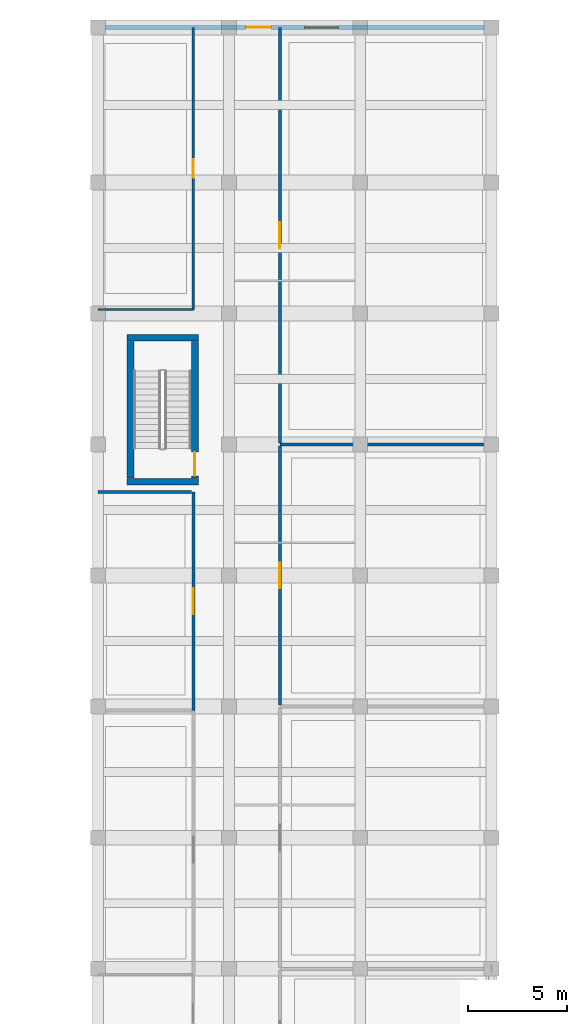
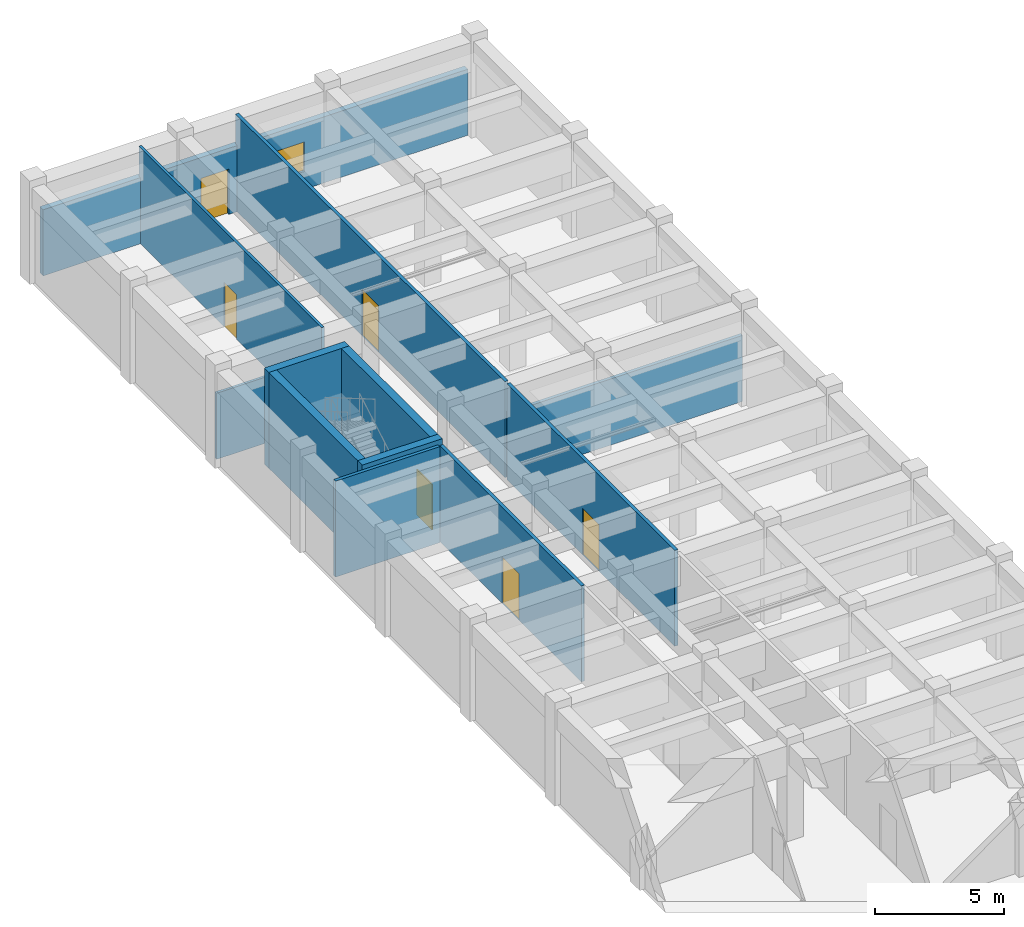
# One storey, part 130 of 144: 12 walls, 6 doors, 1 window, 7 openings.
"""IFC4 building model written with IfcOpenShell, lengths in metres."""

from ifc_helpers import new_model, si_unit, direction, frame, frame_2d, origin, place, context, subcontext, project, spatial, rectangle, extrude, material, layer, layer_set, type_object, element, fill, save


model = new_model("IFC4")

# Units and contexts
model_context = context("Model", 3, precision=1e-05, world=origin(), true_north=direction((0.0, 1.0)))
body_context = subcontext(model_context, "Body", "Model", "MODEL_VIEW")
ifc_project = project(units=[si_unit("LENGTHUNIT", "METRE"), si_unit("AREAUNIT", "SQUARE_METRE"), si_unit("VOLUMEUNIT", "CUBIC_METRE"), si_unit("PLANEANGLEUNIT", "RADIAN"), si_unit("MASSUNIT", "GRAM", prefix="KILO")], contexts=[model_context])

# Site, building, storey
site_placement = place(None, origin())
site = spatial("IfcSite", under=ifc_project, at=site_placement, CompositionType="ELEMENT")
building_placement = place(site_placement, origin())
building = spatial("IfcBuilding", under=site, at=building_placement, Name="Karori Crest Natural Sciences Institute", CompositionType="ELEMENT")
storey_placement = place(building_placement, origin())
storey = spatial("IfcBuildingStorey", under=building, at=storey_placement, Name="L00", CompositionType="ELEMENT", Elevation=0.0)

# Walls
ifc_material_1 = material(Name="Concrete 50 MPa", Category="concrete")
ifc_layer_1 = layer(ifc_material_1, 0.35009765625, Name="Concrete 50 MPa")
ifc_layer_set_1 = layer_set([ifc_layer_1], Name="Concrete 50 MPa")
wall_type_1 = type_object("IfcWallType", Name="IWT-02", PredefinedType="SHEAR", material=ifc_layer_set_1)
for number, where, z_axis, x_axis, name in (
    (1, (8.85009765625, 139.324951171875, 0.0), (0.0, 0.0, 1.0), (1.0, 0.0, 0.0), "Shear wall IW-0201"),
    (2, (8.85009765625, 146.574951171875, 0.0), (0.0, 0.0, 1.0), (1.0, 0.0, 0.0), "Shear wall IW-0202"),
):
    element("IfcWall", number, at=place(storey_placement, frame(where, z_axis=z_axis, x_axis=x_axis)), inside=storey, type_object=wall_type_1, Name=name, PredefinedType="SHEAR", context=body_context, shape_type="SweptSolid", body=[
        extrude(rectangle(XDim=3.599853515625, YDim=0.35009765625, at=frame_2d((1.7998046875, 0.0))), origin(), (0.0, 0.0, 1.0), 4.550048828125),
    ])
wall_1_placement = place(storey_placement, frame((9.02490234375, 139.501953125, 0.0), z_axis=(0.0, 0.0, 1.0), x_axis=(0.0, 1.0, 0.0)))
element("IfcWall", 3, at=wall_1_placement, inside=storey, type_object=wall_type_1, Name="Shear wall IW-0203", PredefinedType="SHEAR", context=body_context, shape_type="SweptSolid", body=[
    extrude(rectangle(XDim=6.89599609375, YDim=0.35009765625, at=frame_2d((3.447998046875, 0.0))), origin(), (0.0, 0.0, 1.0), 4.550048828125),
])

# Wall, opening, door
wall_2_placement = place(storey_placement, frame((12.27490234375, 139.501953125, 0.0), z_axis=(0.0, 0.0, 1.0), x_axis=(0.0, 1.0, 0.0)))
wall_2 = element("IfcWall", 4, at=wall_2_placement, inside=storey, type_object=wall_type_1, Name="Shear wall IW-0204", PredefinedType="SHEAR", context=body_context, shape_type="SweptSolid", body=[
    extrude(rectangle(XDim=6.89599609375, YDim=0.35009765625, at=frame_2d((3.447998046875, 0.0))), origin(), (0.0, 0.0, 1.0), 4.550048828125),
])
opening_1_placement = place(wall_2_placement, frame((0.1201171875, 0.0, 0.0)))
opening_1 = element("IfcOpeningElement", 5, at=opening_1_placement, cuts=wall_2, Name="Opening ID-0051", PredefinedType="OPENING", context=body_context, shape_type="SweptSolid", body=[
    extrude(rectangle(XDim=1.199951171875, YDim=2.14990234375, at=frame_2d((0.60009765625, 1.074951171875))), frame((0.0, 0.18505859375, 0.0), z_axis=(0.0, -1.0, 0.0), x_axis=(1.0, 0.0, 0.0)), (0.0, 0.0, 1.0), 0.3701171875),
])
ifc_material_2 = material(Name="Stainless steel 316 and fire-rated timber", Category="steel")
door_type_1 = type_object("IfcDoorType", Name="IDT-01", OperationType="NOTDEFINED", PredefinedType="DOOR", material=ifc_material_2)
door_1_placement = place(opening_1_placement, origin())
door_1 = element("IfcDoor", 6, at=door_1_placement, inside=storey, type_object=door_type_1, Name="Stair ST-06 fire door ID-0051", OperationType="SINGLE_SWING_LEFT", OverallHeight=2.14990234375, OverallWidth=1.199951171875, PredefinedType="DOOR", context=body_context, shape_type="SweptSolid", body=[
    extrude(rectangle(XDim=1.199951171875, YDim=2.14990234375, at=frame_2d((0.60009765625, 1.074951171875))), frame((0.0, 0.02490234375, 0.0), z_axis=(0.0, -1.0, 0.0), x_axis=(1.0, 0.0, 0.0)), (0.0, 0.0, 1.0), 0.050048828125),
])
fill(opening_1, door_1)

# Wall
ifc_material_3 = material(Name="Clean-room insulated fire partition")
ifc_layer_2 = layer(ifc_material_3, 0.14990234375, Name="Clean-room insulated fire partition")
ifc_layer_set_2 = layer_set([ifc_layer_2], Name="Clean-room insulated fire partition")
wall_type_2 = type_object("IfcWallType", Name="IWT-06", PredefinedType="PARTITIONING", material=ifc_layer_set_2)
wall_3_placement = place(storey_placement, frame((7.39990234375, 138.800048828125, 0.0), z_axis=(0.0, 0.0, 1.0), x_axis=(1.0, 0.0, 0.0)))
element("IfcWall", 7, at=wall_3_placement, inside=storey, type_object=wall_type_2, Name="Partition wall IW-0921", PredefinedType="PARTITIONING", context=body_context, shape_type="SweptSolid", body=[
    extrude(rectangle(XDim=4.697998046875, YDim=0.14990234375, at=frame_2d((2.34912109375, 0.0))), origin(), (0.0, 0.0, 1.0), 4.550048828125),
])

# Wall, opening, door
wall_4_placement = place(storey_placement, frame((12.199951171875, 127.802001953125, 0.0), z_axis=(0.0, 0.0, 1.0), x_axis=(0.0, 1.0, 0.0)))
wall_4 = element("IfcWall", 8, at=wall_4_placement, inside=storey, type_object=wall_type_2, Name="Partition wall IW-0922", PredefinedType="PARTITIONING", context=body_context, shape_type="SweptSolid", body=[
    extrude(rectangle(XDim=10.998046875, YDim=0.14990234375, at=frame_2d((5.4990234375, 0.0))), origin(), (0.0, 0.0, 1.0), 4.550048828125),
])
opening_2_placement = place(wall_4_placement, frame((4.84912109375, 0.0, 0.0)))
opening_2 = element("IfcOpeningElement", 9, at=opening_2_placement, cuts=wall_4, Name="Opening ID-0235", PredefinedType="OPENING", context=body_context, shape_type="SweptSolid", body=[
    extrude(rectangle(XDim=1.300048828125, YDim=2.199951171875, at=frame_2d((0.64990234375, 1.10009765625))), frame((0.0, 0.0849609375, 0.0), z_axis=(0.0, -1.0, 0.0), x_axis=(1.0, 0.0, 0.0)), (0.0, 0.0, 1.0), 0.169921875),
])
door_type_2 = type_object("IfcDoorType", Name="IDT-04", OperationType="NOTDEFINED", PredefinedType="DOOR", material=ifc_material_2)
door_2_placement = place(opening_2_placement, origin())
door_2 = element("IfcDoor", 10, at=door_2_placement, inside=storey, type_object=door_type_2, Name="Optical Metrology Preparation Room door ID-0235", OperationType="SINGLE_SWING_LEFT", OverallHeight=2.199951171875, OverallWidth=1.300048828125, PredefinedType="DOOR", context=body_context, shape_type="SweptSolid", body=[
    extrude(rectangle(XDim=1.300048828125, YDim=2.199951171875, at=frame_2d((0.64990234375, 1.10009765625))), frame((0.0, 0.02490234375, 0.0), z_axis=(0.0, -1.0, 0.0), x_axis=(1.0, 0.0, 0.0)), (0.0, 0.0, 1.0), 0.050048828125),
])
fill(opening_2, door_2)

# Wall
wall_5_placement = place(storey_placement, frame((16.550048828125, 141.199951171875, 0.0), z_axis=(0.0, 0.0, 1.0), x_axis=(1.0, 0.0, 0.0)))
element("IfcWall", 11, at=wall_5_placement, inside=storey, type_object=wall_type_2, Name="Partition wall IW-0933", PredefinedType="PARTITIONING", context=body_context, shape_type="SweptSolid", body=[
    extrude(rectangle(XDim=10.508056640625, YDim=0.14990234375, at=frame_2d((5.25390625, 0.0))), origin(), (0.0, 0.0, 1.0), 3.135009765625),
])

# Wall, opening, door
wall_6_placement = place(storey_placement, frame((16.550048828125, 128.076904296875, 0.0), z_axis=(0.0, 0.0, 1.0), x_axis=(0.0, 1.0, 0.0)))
wall_6 = element("IfcWall", 12, at=wall_6_placement, inside=storey, type_object=wall_type_2, Name="Partition wall IW-0934", PredefinedType="PARTITIONING", context=body_context, shape_type="SweptSolid", body=[
    extrude(rectangle(XDim=13.046142578125, YDim=0.14990234375, at=frame_2d((6.52294921875, 0.0))), origin(), (0.0, 0.0, 1.0), 4.550048828125),
])
opening_3_placement = place(wall_6_placement, frame((5.873046875, 0.0, 0.0)))
opening_3 = element("IfcOpeningElement", 13, at=opening_3_placement, cuts=wall_6, Name="Opening ID-0240", PredefinedType="OPENING", context=body_context, shape_type="SweptSolid", body=[
    extrude(rectangle(XDim=1.300048828125, YDim=2.199951171875, at=frame_2d((0.64990234375, 1.10009765625))), frame((0.0, 0.0849609375, 0.0), z_axis=(0.0, -1.0, 0.0), x_axis=(1.0, 0.0, 0.0)), (0.0, 0.0, 1.0), 0.169921875),
])
door_3_placement = place(opening_3_placement, origin())
door_3 = element("IfcDoor", 14, at=door_3_placement, inside=storey, type_object=door_type_2, Name="Electron Microscopy Clean Room door ID-0240", OperationType="SINGLE_SWING_RIGHT", OverallHeight=2.199951171875, OverallWidth=1.300048828125, PredefinedType="DOOR", context=body_context, shape_type="SweptSolid", body=[
    extrude(rectangle(XDim=1.300048828125, YDim=2.199951171875, at=frame_2d((0.64990234375, 1.10009765625))), frame((0.0, 0.02490234375, 0.0), z_axis=(0.0, -1.0, 0.0), x_axis=(1.0, 0.0, 0.0)), (0.0, 0.0, 1.0), 0.050048828125),
])
fill(opening_3, door_3)

wall_7_placement = place(storey_placement, frame((16.550048828125, 141.277099609375, 0.0), z_axis=(0.0, 0.0, 1.0), x_axis=(0.0, 1.0, 0.0)))
wall_7 = element("IfcWall", 15, at=wall_7_placement, inside=storey, type_object=wall_type_2, Name="Partition wall IW-0935", PredefinedType="PARTITIONING", context=body_context, shape_type="SweptSolid", body=[
    extrude(rectangle(XDim=20.9228515625, YDim=0.14990234375, at=frame_2d((10.46142578125, 0.0))), origin(), (0.0, 0.0, 1.0), 4.550048828125),
])
opening_4_placement = place(wall_7_placement, frame((9.8115234375, 0.0, 0.0)))
opening_4 = element("IfcOpeningElement", 16, at=opening_4_placement, cuts=wall_7, Name="Opening ID-0241", PredefinedType="OPENING", context=body_context, shape_type="SweptSolid", body=[
    extrude(rectangle(XDim=1.300048828125, YDim=2.199951171875, at=frame_2d((0.64990234375, 1.10009765625))), frame((0.0, 0.0849609375, 0.0), z_axis=(0.0, -1.0, 0.0), x_axis=(1.0, 0.0, 0.0)), (0.0, 0.0, 1.0), 0.169921875),
])
door_4_placement = place(opening_4_placement, origin())
door_4 = element("IfcDoor", 17, at=door_4_placement, inside=storey, type_object=door_type_2, Name="ISO Class 6 Nanofabrication Clean Room door ID-0241", OperationType="SINGLE_SWING_LEFT", OverallHeight=2.199951171875, OverallWidth=1.300048828125, PredefinedType="DOOR", context=body_context, shape_type="SweptSolid", body=[
    extrude(rectangle(XDim=1.300048828125, YDim=2.199951171875, at=frame_2d((0.64990234375, 1.10009765625))), frame((0.0, 0.02490234375, 0.0), z_axis=(0.0, -1.0, 0.0), x_axis=(1.0, 0.0, 0.0)), (0.0, 0.0, 1.0), 0.050048828125),
])
fill(opening_4, door_4)

# Wall
ifc_material_4 = material(Name="Write-up office acoustic partition")
ifc_layer_3 = layer(ifc_material_4, 0.1201171875, Name="Write-up office acoustic partition")
ifc_layer_set_3 = layer_set([ifc_layer_3], Name="Write-up office acoustic partition")
wall_type_3 = type_object("IfcWallType", Name="IWT-08", PredefinedType="PARTITIONING", material=ifc_layer_set_3)
wall_8_placement = place(storey_placement, frame((7.39990234375, 148.0, 0.0), z_axis=(0.0, 0.0, 1.0), x_axis=(1.0, 0.0, 0.0)))
element("IfcWall", 18, at=wall_8_placement, inside=storey, type_object=wall_type_3, Name="Partition wall IW-0923", PredefinedType="PARTITIONING", context=body_context, shape_type="SweptSolid", body=[
    extrude(rectangle(XDim=4.800048828125, YDim=0.1201171875, at=frame_2d((2.39990234375, 0.0))), origin(), (0.0, 0.0, 1.0), 3.135009765625),
])

# Wall, opening, door
wall_9_placement = place(storey_placement, frame((12.199951171875, 148.0, 0.0), z_axis=(0.0, 0.0, 1.0), x_axis=(0.0, 1.0, 0.0)))
wall_9 = element("IfcWall", 19, at=wall_9_placement, inside=storey, type_object=wall_type_3, Name="Partition wall IW-0924", PredefinedType="PARTITIONING", context=body_context, shape_type="SweptSolid", body=[
    extrude(rectangle(XDim=14.199951171875, YDim=0.1201171875, at=frame_2d((7.10009765625, 0.0))), origin(), (0.0, 0.0, 1.0), 4.550048828125),
])
opening_5_placement = place(wall_9_placement, frame((6.625, 0.0, 0.0)))
opening_5 = element("IfcOpeningElement", 20, at=opening_5_placement, cuts=wall_9, Name="Opening ID-0236", PredefinedType="OPENING", context=body_context, shape_type="SweptSolid", body=[
    extrude(rectangle(XDim=0.949951171875, YDim=2.10009765625, at=frame_2d((0.47509765625, 1.050048828125))), frame((0.0, 0.070068359375, 0.0), z_axis=(0.0, -1.0, 0.0), x_axis=(1.0, 0.0, 0.0)), (0.0, 0.0, 1.0), 0.14013671875),
])
ifc_material_5 = material(Name="Anodised aluminium and acoustic timber", Category="wood")
door_type_3 = type_object("IfcDoorType", Name="IDT-08", OperationType="NOTDEFINED", PredefinedType="DOOR", material=ifc_material_5)
door_5_placement = place(opening_5_placement, origin())
door_5 = element("IfcDoor", 21, at=door_5_placement, inside=storey, type_object=door_type_3, Name="Instrument Calibration Room door ID-0236", OperationType="SINGLE_SWING_RIGHT", OverallHeight=2.10009765625, OverallWidth=0.949951171875, PredefinedType="DOOR", context=body_context, shape_type="SweptSolid", body=[
    extrude(rectangle(XDim=0.949951171875, YDim=2.10009765625, at=frame_2d((0.47509765625, 1.050048828125))), frame((0.0, 0.02490234375, 0.0), z_axis=(0.0, -1.0, 0.0), x_axis=(1.0, 0.0, 0.0)), (0.0, 0.0, 1.0), 0.050048828125),
])
fill(opening_5, door_5)

# Wall, openings, door, window
ifc_material_6 = material(Name="Precast concrete 40 MPa", Category="concrete")
ifc_layer_4 = layer(ifc_material_6, 0.260009765625, Name="Precast concrete 40 MPa")
ifc_layer_set_4 = layer_set([ifc_layer_4], Name="Precast concrete 40 MPa")
wall_type_4 = type_object("IfcWallType", Name="WT-03", PredefinedType="SOLIDWALL", material=ifc_layer_set_4)
wall_10_placement = place(storey_placement, frame((7.77294921875, 162.199951171875, 0.0), z_axis=(0.0, 0.0, 1.0), x_axis=(1.0, 0.0, 0.0)))
wall_10 = element("IfcWall", 22, at=wall_10_placement, inside=storey, type_object=wall_type_4, Name="Exterior wall EW-0159", PredefinedType="SOLIDWALL", context=body_context, shape_type="SweptSolid", body=[
    extrude(rectangle(XDim=19.053955078125, YDim=0.260009765625, at=frame_2d((9.52685546875, 0.0))), origin(), (0.0, 0.0, 1.0), 3.135009765625),
])
opening_6_placement = place(wall_10_placement, frame((7.076904296875, 0.0, 0.0)))
opening_6 = element("IfcOpeningElement", 23, at=opening_6_placement, cuts=wall_10, Name="Opening ED-0020", PredefinedType="OPENING", context=body_context, shape_type="SweptSolid", body=[
    extrude(rectangle(XDim=1.25, YDim=2.14990234375, at=frame_2d((0.625, 1.074951171875))), frame((0.0, 0.14013671875, 0.0), z_axis=(0.0, -1.0, 0.0), x_axis=(1.0, 0.0, 0.0)), (0.0, 0.0, 1.0), 0.280029296875),
])
opening_7_placement = place(wall_10_placement, frame((10.027099609375, 0.0, 0.85009765625)))
opening_7 = element("IfcOpeningElement", 24, at=opening_7_placement, cuts=wall_10, Name="Opening WN-0097", PredefinedType="OPENING", context=body_context, shape_type="SweptSolid", body=[
    extrude(rectangle(XDim=1.699951171875, YDim=1.39990234375, at=frame_2d((0.85009765625, 0.699951171875))), frame((0.0, 0.14013671875, 0.0), z_axis=(0.0, -1.0, 0.0), x_axis=(1.0, 0.0, 0.0)), (0.0, 0.0, 1.0), 0.280029296875),
])
ifc_material_7 = material(Name="Anodised architectural aluminium 6063-T6", Category="aluminium")
door_type_4 = type_object("IfcDoorType", Name="EDT-03", OperationType="NOTDEFINED", PredefinedType="DOOR", material=ifc_material_7)
door_6_placement = place(opening_6_placement, origin())
door_6 = element("IfcDoor", 25, at=door_6_placement, inside=storey, type_object=door_type_4, Name="Cleanroom north final exit door ED-0020", OperationType="SINGLE_SWING_LEFT", OverallHeight=2.14990234375, OverallWidth=1.25, PredefinedType="DOOR", context=body_context, shape_type="SweptSolid", body=[
    extrude(rectangle(XDim=1.25, YDim=2.14990234375, at=frame_2d((0.625, 1.074951171875))), frame((0.0, 0.02490234375, 0.0), z_axis=(0.0, -1.0, 0.0), x_axis=(1.0, 0.0, 0.0)), (0.0, 0.0, 1.0), 0.050048828125),
])
fill(opening_6, door_6)
ifc_material_8 = material(Name="Double low-E laminated glass", Category="glass")
window_type = type_object("IfcWindowType", Name="WNT-05", PartitioningType="SINGLE_PANEL", PredefinedType="WINDOW", material=ifc_material_8)
window_placement = place(opening_7_placement, origin())
window = element("IfcWindow", 26, at=window_placement, inside=storey, type_object=window_type, Name="Window WN-0097", OverallHeight=1.39990234375, OverallWidth=1.699951171875, PartitioningType="SINGLE_PANEL", PredefinedType="WINDOW", context=body_context, shape_type="SweptSolid", body=[
    extrude(rectangle(XDim=1.699951171875, YDim=1.39990234375, at=frame_2d((0.85009765625, 0.699951171875))), frame((0.0, 0.030029296875, 0.0), z_axis=(0.0, -1.0, 0.0), x_axis=(1.0, 0.0, 0.0)), (0.0, 0.0, 1.0), 0.06005859375),
])
fill(opening_7, window)

save(model, "model.ifc")
